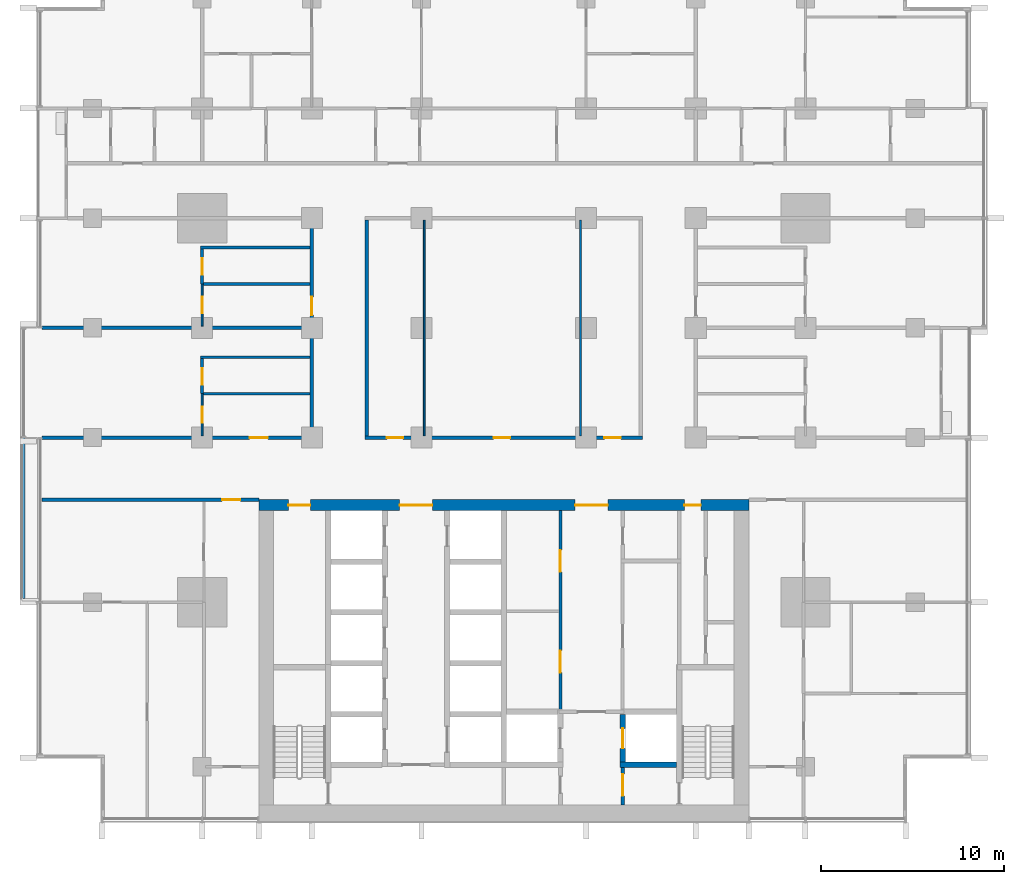
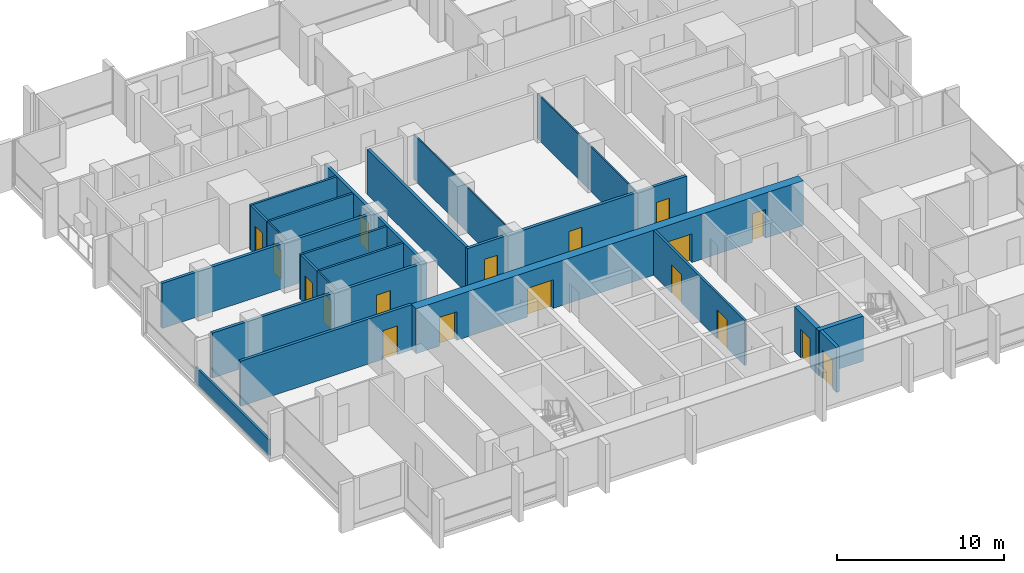
# One storey, part 8 of 17: 22 walls, 18 doors, 18 openings.
"""IFC4 building model written with IfcOpenShell, lengths in metres."""

from ifc_helpers import new_model, si_unit, direction, frame, frame_2d, origin, place, context, subcontext, project, spatial, rectangle, extrude, material, layer, layer_set, type_object, element, fill, save


model = new_model("IFC4")

# Units and contexts
model_context = context("Model", 3, precision=1e-05, world=origin(), true_north=direction((0.0, 1.0)))
body_context = subcontext(model_context, "Body", "Model", "MODEL_VIEW")
ifc_project = project(units=[si_unit("LENGTHUNIT", "METRE"), si_unit("AREAUNIT", "SQUARE_METRE"), si_unit("VOLUMEUNIT", "CUBIC_METRE"), si_unit("PLANEANGLEUNIT", "RADIAN"), si_unit("MASSUNIT", "GRAM", prefix="KILO")], contexts=[model_context])

# Site, building, storey
site_placement = place(None, origin())
site = spatial("IfcSite", under=ifc_project, at=site_placement, CompositionType="ELEMENT")
building_placement = place(site_placement, origin())
building = spatial("IfcBuilding", under=site, at=building_placement, Name="Finial Court Residences", CompositionType="ELEMENT")
storey_placement = place(building_placement, frame((0.0, 0.0, 120.699951171875)))
storey = spatial("IfcBuildingStorey", under=building, at=storey_placement, Name="L30", CompositionType="ELEMENT", Elevation=120.699951171875)

# Wall
ifc_material_1 = material(Name="Gypsum board")
ifc_layer_1 = layer(ifc_material_1, 0.02490234375)
ifc_material_2 = material(Name="Acoustic mineral wool in double frame")
ifc_layer_2 = layer(ifc_material_2, 0.14990234375)
ifc_layer_3 = layer(ifc_material_1, 0.02490234375)
ifc_layer_set_1 = layer_set([ifc_layer_1, ifc_layer_2, ifc_layer_3], Name="Acoustic party wall 200, 1 hour")
wall_type_1 = type_object("IfcWallType", Name="Acoustic party wall 200, 1 hour", PredefinedType="PARTITIONING", material=ifc_layer_set_1)
wall_1_placement = place(storey_placement, frame((-25.25, 1.5, 0.0), z_axis=(0.0, 0.0, 1.0), x_axis=(1.0, 0.0, 0.0)))
element("IfcWall", 1, at=wall_1_placement, inside=storey, type_object=wall_type_1, Name="Partition L30-017", PredefinedType="PARTITIONING", context=body_context, shape_type="SweptSolid", body=[
    extrude(rectangle(XDim=14.64990234375, YDim=0.199951171875, at=frame_2d((7.324951171875, 0.0))), origin(), (0.0, 0.0, 1.0), 3.300048828125),
])

# Wall, openings, doors
ifc_material_3 = material(Name="Concrete C70/85", Category="concrete")
ifc_layer_4 = layer(ifc_material_3, 0.60009765625)
ifc_layer_set_2 = layer_set([ifc_layer_4], Name="Core outer wall 600 Concrete C70/85")
wall_type_2 = type_object("IfcWallType", Name="Core outer wall 600 Concrete C70/85", PredefinedType="SHEAR", material=ifc_layer_set_2)
wall_2_placement = place(storey_placement, frame((-13.39990234375, -8.199951171875, 0.0), z_axis=(0.0, 0.0, 1.0), x_axis=(1.0, 0.0, 0.0)))
wall_2 = element("IfcWall", 2, at=wall_2_placement, inside=storey, type_object=wall_type_2, Name="Core outer wall L30-02", PredefinedType="SHEAR", context=body_context, shape_type="SweptSolid", body=[
    extrude(rectangle(XDim=26.7998046875, YDim=0.60009765625, at=frame_2d((13.39990234375, 0.0))), origin(), (0.0, 0.0, 1.0), 3.300048828125),
])
opening_1_placement = place(wall_2_placement, frame((7.699951171875, 0.0, 0.0)))
opening_1 = element("IfcOpeningElement", 3, at=opening_1_placement, cuts=wall_2, Name="Opening L30-C04", PredefinedType="OPENING", context=body_context, shape_type="SweptSolid", body=[
    extrude(rectangle(XDim=1.800048828125, YDim=2.10009765625, at=frame_2d((0.89990234375, 1.050048828125))), frame((0.0, 0.31005859375, 0.0), z_axis=(0.0, -1.0, 0.0), x_axis=(1.0, 0.0, 0.0)), (0.0, 0.0, 1.0), 0.6201171875),
])
opening_2_placement = place(wall_2_placement, frame((17.300048828125, 0.0, 0.0)))
opening_2 = element("IfcOpeningElement", 4, at=opening_2_placement, cuts=wall_2, Name="Opening L30-C05", PredefinedType="OPENING", context=body_context, shape_type="SweptSolid", body=[
    extrude(rectangle(XDim=1.800048828125, YDim=2.10009765625, at=frame_2d((0.89990234375, 1.050048828125))), frame((0.0, 0.31005859375, 0.0), z_axis=(0.0, -1.0, 0.0), x_axis=(1.0, 0.0, 0.0)), (0.0, 0.0, 1.0), 0.6201171875),
])
opening_3_placement = place(wall_2_placement, frame((1.625, 0.0, 0.0)))
opening_3 = element("IfcOpeningElement", 5, at=opening_3_placement, cuts=wall_2, Name="Opening L30-C09", PredefinedType="OPENING", context=body_context, shape_type="SweptSolid", body=[
    extrude(rectangle(XDim=1.199951171875, YDim=2.10009765625, at=frame_2d((0.60009765625, 1.050048828125))), frame((0.0, 0.31005859375, 0.0), z_axis=(0.0, -1.0, 0.0), x_axis=(1.0, 0.0, 0.0)), (0.0, 0.0, 1.0), 0.6201171875),
])
opening_4_placement = place(wall_2_placement, frame((23.27490234375, 0.0, 0.0)))
opening_4 = element("IfcOpeningElement", 6, at=opening_4_placement, cuts=wall_2, Name="Opening L30-C10", PredefinedType="OPENING", context=body_context, shape_type="SweptSolid", body=[
    extrude(rectangle(XDim=0.89990234375, YDim=2.10009765625, at=frame_2d((0.449951171875, 1.050048828125))), frame((0.0, 0.31005859375, 0.0), z_axis=(0.0, -1.0, 0.0), x_axis=(1.0, 0.0, 0.0)), (0.0, 0.0, 1.0), 0.6201171875),
])
ifc_material_4 = material(Name="Steel fire door", Category="steel")
door_type_1 = type_object("IfcDoorType", Name="Lift lobby door 1800 x 2100 EI 60", OperationType="DOUBLE_DOOR_SINGLE_SWING", PredefinedType="DOOR", material=ifc_material_4)
door_1_placement = place(opening_1_placement, origin())
door_1 = element("IfcDoor", 7, at=door_1_placement, inside=storey, type_object=door_type_1, Name="Lift lobby door L30-C04", OperationType="DOUBLE_DOOR_SINGLE_SWING", OverallHeight=2.10009765625, OverallWidth=1.800048828125, PredefinedType="DOOR", context=body_context, shape_type="SweptSolid", body=[
    extrude(rectangle(XDim=1.800048828125, YDim=2.10009765625, at=frame_2d((0.89990234375, 1.050048828125))), frame((0.0, 0.02490234375, 0.0), z_axis=(0.0, -1.0, 0.0), x_axis=(1.0, 0.0, 0.0)), (0.0, 0.0, 1.0), 0.050048828125),
])
fill(opening_1, door_1)
door_2_placement = place(opening_2_placement, origin())
door_2 = element("IfcDoor", 8, at=door_2_placement, inside=storey, type_object=door_type_1, Name="Lift lobby door L30-C05", OperationType="DOUBLE_DOOR_SINGLE_SWING", OverallHeight=2.10009765625, OverallWidth=1.800048828125, PredefinedType="DOOR", context=body_context, shape_type="SweptSolid", body=[
    extrude(rectangle(XDim=1.800048828125, YDim=2.10009765625, at=frame_2d((0.89990234375, 1.050048828125))), frame((0.0, 0.02490234375, 0.0), z_axis=(0.0, -1.0, 0.0), x_axis=(1.0, 0.0, 0.0)), (0.0, 0.0, 1.0), 0.050048828125),
])
fill(opening_2, door_2)
door_type_2 = type_object("IfcDoorType", Name="Riser room door 1200 x 2100 EI 90", OperationType="NOTDEFINED", PredefinedType="DOOR", material=ifc_material_4)
door_3_placement = place(opening_3_placement, origin())
door_3 = element("IfcDoor", 9, at=door_3_placement, inside=storey, type_object=door_type_2, Name="Riser room door L30-C09", OperationType="SINGLE_SWING_LEFT", OverallHeight=2.10009765625, OverallWidth=1.199951171875, PredefinedType="DOOR", context=body_context, shape_type="SweptSolid", body=[
    extrude(rectangle(XDim=1.199951171875, YDim=2.10009765625, at=frame_2d((0.60009765625, 1.050048828125))), frame((0.0, 0.02490234375, 0.0), z_axis=(0.0, -1.0, 0.0), x_axis=(1.0, 0.0, 0.0)), (0.0, 0.0, 1.0), 0.050048828125),
])
fill(opening_3, door_3)
door_type_3 = type_object("IfcDoorType", Name="Riser room door 900 x 2100 EI 90", OperationType="NOTDEFINED", PredefinedType="DOOR", material=ifc_material_4)
door_4_placement = place(opening_4_placement, origin())
door_4 = element("IfcDoor", 10, at=door_4_placement, inside=storey, type_object=door_type_3, Name="Riser room door L30-C10", OperationType="SINGLE_SWING_LEFT", OverallHeight=2.10009765625, OverallWidth=0.89990234375, PredefinedType="DOOR", context=body_context, shape_type="SweptSolid", body=[
    extrude(rectangle(XDim=0.89990234375, YDim=2.10009765625, at=frame_2d((0.449951171875, 1.050048828125))), frame((0.0, 0.02490234375, 0.0), z_axis=(0.0, -1.0, 0.0), x_axis=(1.0, 0.0, 0.0)), (0.0, 0.0, 1.0), 0.050048828125),
])
fill(opening_4, door_4)

ifc_material_5 = material(Name="Fire-rated gypsum board partition")
ifc_layer_5 = layer(ifc_material_5, 0.14990234375)
ifc_layer_set_3 = layer_set([ifc_layer_5], Name="Core room partition 150 EI 60")
wall_type_3 = type_object("IfcWallType", Name="Core room partition 150 EI 60", PredefinedType="PARTITIONING", material=ifc_layer_set_3)
wall_3_placement = place(storey_placement, frame((3.10009765625, -19.39990234375, 0.0), z_axis=(0.0, 0.0, 1.0), x_axis=(0.0, 1.0, 0.0)))
wall_3 = element("IfcWall", 11, at=wall_3_placement, inside=storey, type_object=wall_type_3, Name="Core partition L30-29", PredefinedType="PARTITIONING", context=body_context, shape_type="SweptSolid", body=[
    extrude(rectangle(XDim=10.89990234375, YDim=0.14990234375, at=frame_2d((5.449951171875, 0.0))), origin(), (0.0, 0.0, 1.0), 3.300048828125),
])
opening_5_placement = place(wall_3_placement, frame((2.050048828125, 0.0, 0.0)))
opening_5 = element("IfcOpeningElement", 12, at=opening_5_placement, cuts=wall_3, Name="Opening L30-C12", PredefinedType="OPENING", context=body_context, shape_type="SweptSolid", body=[
    extrude(rectangle(XDim=1.199951171875, YDim=2.10009765625, at=frame_2d((0.60009765625, 1.050048828125))), frame((0.0, 0.0849609375, 0.0), z_axis=(0.0, -1.0, 0.0), x_axis=(1.0, 0.0, 0.0)), (0.0, 0.0, 1.0), 0.169921875),
])
opening_6_placement = place(wall_3_placement, frame((7.550048828125, 0.0, 0.0)))
opening_6 = element("IfcOpeningElement", 13, at=opening_6_placement, cuts=wall_3, Name="Opening L30-C13", PredefinedType="OPENING", context=body_context, shape_type="SweptSolid", body=[
    extrude(rectangle(XDim=1.199951171875, YDim=2.10009765625, at=frame_2d((0.60009765625, 1.050048828125))), frame((0.0, 0.0849609375, 0.0), z_axis=(0.0, -1.0, 0.0), x_axis=(1.0, 0.0, 0.0)), (0.0, 0.0, 1.0), 0.169921875),
])
door_type_4 = type_object("IfcDoorType", Name="Core room door 1200 x 2100 EI 60", OperationType="NOTDEFINED", PredefinedType="DOOR", material=ifc_material_4)
door_5_placement = place(opening_5_placement, origin())
door_5 = element("IfcDoor", 14, at=door_5_placement, inside=storey, type_object=door_type_4, Name="Core room door L30-C12", OperationType="SINGLE_SWING_LEFT", OverallHeight=2.10009765625, OverallWidth=1.199951171875, PredefinedType="DOOR", context=body_context, shape_type="SweptSolid", body=[
    extrude(rectangle(XDim=1.199951171875, YDim=2.10009765625, at=frame_2d((0.60009765625, 1.050048828125))), frame((0.0, 0.02490234375, 0.0), z_axis=(0.0, -1.0, 0.0), x_axis=(1.0, 0.0, 0.0)), (0.0, 0.0, 1.0), 0.050048828125),
])
fill(opening_5, door_5)
door_6_placement = place(opening_6_placement, origin())
door_6 = element("IfcDoor", 15, at=door_6_placement, inside=storey, type_object=door_type_4, Name="Core room door L30-C13", OperationType="SINGLE_SWING_LEFT", OverallHeight=2.10009765625, OverallWidth=1.199951171875, PredefinedType="DOOR", context=body_context, shape_type="SweptSolid", body=[
    extrude(rectangle(XDim=1.199951171875, YDim=2.10009765625, at=frame_2d((0.60009765625, 1.050048828125))), frame((0.0, 0.02490234375, 0.0), z_axis=(0.0, -1.0, 0.0), x_axis=(1.0, 0.0, 0.0)), (0.0, 0.0, 1.0), 0.050048828125),
])
fill(opening_6, door_6)

# Wall, opening, door
ifc_layer_6 = layer(ifc_material_1, 0.02490234375)
ifc_layer_7 = layer(ifc_material_2, 0.14990234375)
ifc_layer_8 = layer(ifc_material_1, 0.02490234375)
ifc_layer_set_4 = layer_set([ifc_layer_6, ifc_layer_7, ifc_layer_8], Name="Corridor wall 200, 1 hour")
wall_type_4 = type_object("IfcWallType", Name="Corridor wall 200, 1 hour", PredefinedType="PARTITIONING", material=ifc_layer_set_4)
wall_4_placement = place(storey_placement, frame((-25.25, -7.89990234375, 0.0), z_axis=(0.0, 0.0, 1.0), x_axis=(1.0, 0.0, 0.0)))
wall_4 = element("IfcWall", 16, at=wall_4_placement, inside=storey, type_object=wall_type_4, Name="Partition L30-008", PredefinedType="PARTITIONING", context=body_context, shape_type="SweptSolid", body=[
    extrude(rectangle(XDim=11.85009765625, YDim=0.199951171875, at=frame_2d((5.925048828125, 0.0))), origin(), (0.0, 0.0, 1.0), 3.300048828125),
])
opening_7_placement = place(wall_4_placement, frame((9.85009765625, 0.0, 0.0)))
opening_7 = element("IfcOpeningElement", 17, at=opening_7_placement, cuts=wall_4, Name="Opening L30-D005", PredefinedType="OPENING", context=body_context, shape_type="SweptSolid", body=[
    extrude(rectangle(XDim=1.0, YDim=2.10009765625, at=frame_2d((0.5, 1.050048828125))), frame((0.0, 0.10986328125, 0.0), z_axis=(0.0, -1.0, 0.0), x_axis=(1.0, 0.0, 0.0)), (0.0, 0.0, 1.0), 0.219970703125),
])
ifc_material_6 = material(Name="Timber door leaf in hollow metal frame", Category="wood")
door_type_5 = type_object("IfcDoorType", Name="Fire door set 1000 x 2100, 30 minutes", OperationType="SINGLE_SWING_LEFT", PredefinedType="DOOR", material=ifc_material_6)
door_7_placement = place(opening_7_placement, origin())
door_7 = element("IfcDoor", 18, at=door_7_placement, inside=storey, type_object=door_type_5, Name="Door L30-D005", OperationType="SINGLE_SWING_RIGHT", OverallHeight=2.10009765625, OverallWidth=1.0, PredefinedType="DOOR", context=body_context, shape_type="SweptSolid", body=[
    extrude(rectangle(XDim=1.0, YDim=2.10009765625, at=frame_2d((0.5, 1.050048828125))), frame((0.0, 0.02490234375, 0.0), z_axis=(0.0, -1.0, 0.0), x_axis=(1.0, 0.0, 0.0)), (0.0, 0.0, 1.0), 0.050048828125),
])
fill(opening_7, door_7)

wall_5_placement = place(storey_placement, frame((-25.25, -4.5, 0.0), z_axis=(0.0, 0.0, 1.0), x_axis=(1.0, 0.0, 0.0)))
wall_5 = element("IfcWall", 19, at=wall_5_placement, inside=storey, type_object=wall_type_4, Name="Partition L30-010", PredefinedType="PARTITIONING", context=body_context, shape_type="SweptSolid", body=[
    extrude(rectangle(XDim=14.85009765625, YDim=0.199951171875, at=frame_2d((7.425048828125, 0.0))), origin(), (0.0, 0.0, 1.0), 3.300048828125),
])
opening_8_placement = place(wall_5_placement, frame((11.35009765625, 0.0, 0.0)))
opening_8 = element("IfcOpeningElement", 20, at=opening_8_placement, cuts=wall_5, Name="Opening L30-D007", PredefinedType="OPENING", context=body_context, shape_type="SweptSolid", body=[
    extrude(rectangle(XDim=1.0, YDim=2.10009765625, at=frame_2d((0.5, 1.050048828125))), frame((0.0, 0.10986328125, 0.0), z_axis=(0.0, -1.0, 0.0), x_axis=(1.0, 0.0, 0.0)), (0.0, 0.0, 1.0), 0.219970703125),
])
door_8_placement = place(opening_8_placement, origin())
door_8 = element("IfcDoor", 21, at=door_8_placement, inside=storey, type_object=door_type_5, Name="Door L30-D007", OperationType="SINGLE_SWING_LEFT", OverallHeight=2.10009765625, OverallWidth=1.0, PredefinedType="DOOR", context=body_context, shape_type="SweptSolid", body=[
    extrude(rectangle(XDim=1.0, YDim=2.10009765625, at=frame_2d((0.5, 1.050048828125))), frame((0.0, 0.02490234375, 0.0), z_axis=(0.0, -1.0, 0.0), x_axis=(1.0, 0.0, 0.0)), (0.0, 0.0, 1.0), 0.050048828125),
])
fill(opening_8, door_8)

# Wall, openings, doors
wall_6_placement = place(storey_placement, frame((-7.60009765625, -4.5, 0.0), z_axis=(0.0, 0.0, 1.0), x_axis=(1.0, 0.0, 0.0)))
wall_6 = element("IfcWall", 22, at=wall_6_placement, inside=storey, type_object=wall_type_4, Name="Partition L30-011", PredefinedType="PARTITIONING", context=body_context, shape_type="SweptSolid", body=[
    extrude(rectangle(XDim=15.2001953125, YDim=0.199951171875, at=frame_2d((7.60009765625, 0.0))), origin(), (0.0, 0.0, 1.0), 3.300048828125),
])
opening_9_placement = place(wall_6_placement, frame((1.199951171875, 0.0, 0.0)))
opening_9 = element("IfcOpeningElement", 23, at=opening_9_placement, cuts=wall_6, Name="Opening L30-D008", PredefinedType="OPENING", context=body_context, shape_type="SweptSolid", body=[
    extrude(rectangle(XDim=0.89990234375, YDim=2.10009765625, at=frame_2d((0.449951171875, 1.050048828125))), frame((0.0, 0.10986328125, 0.0), z_axis=(0.0, -1.0, 0.0), x_axis=(1.0, 0.0, 0.0)), (0.0, 0.0, 1.0), 0.219970703125),
])
opening_10_placement = place(wall_6_placement, frame((7.050048828125, 0.0, 0.0)))
opening_10 = element("IfcOpeningElement", 24, at=opening_10_placement, cuts=wall_6, Name="Opening L30-D009", PredefinedType="OPENING", context=body_context, shape_type="SweptSolid", body=[
    extrude(rectangle(XDim=0.89990234375, YDim=2.10009765625, at=frame_2d((0.449951171875, 1.050048828125))), frame((0.0, 0.10986328125, 0.0), z_axis=(0.0, -1.0, 0.0), x_axis=(1.0, 0.0, 0.0)), (0.0, 0.0, 1.0), 0.219970703125),
])
opening_11_placement = place(wall_6_placement, frame((13.10009765625, 0.0, 0.0)))
opening_11 = element("IfcOpeningElement", 25, at=opening_11_placement, cuts=wall_6, Name="Opening L30-D010", PredefinedType="OPENING", context=body_context, shape_type="SweptSolid", body=[
    extrude(rectangle(XDim=0.89990234375, YDim=2.10009765625, at=frame_2d((0.449951171875, 1.050048828125))), frame((0.0, 0.10986328125, 0.0), z_axis=(0.0, -1.0, 0.0), x_axis=(1.0, 0.0, 0.0)), (0.0, 0.0, 1.0), 0.219970703125),
])
door_type_6 = type_object("IfcDoorType", Name="Fire door set 900 x 2100, 30 minutes", OperationType="SINGLE_SWING_LEFT", PredefinedType="DOOR", material=ifc_material_6)
door_9_placement = place(opening_9_placement, origin())
door_9 = element("IfcDoor", 26, at=door_9_placement, inside=storey, type_object=door_type_6, Name="Door L30-D008", OperationType="SINGLE_SWING_RIGHT", OverallHeight=2.10009765625, OverallWidth=0.89990234375, PredefinedType="DOOR", context=body_context, shape_type="SweptSolid", body=[
    extrude(rectangle(XDim=0.89990234375, YDim=2.10009765625, at=frame_2d((0.449951171875, 1.050048828125))), frame((0.0, 0.02490234375, 0.0), z_axis=(0.0, -1.0, 0.0), x_axis=(1.0, 0.0, 0.0)), (0.0, 0.0, 1.0), 0.050048828125),
])
fill(opening_9, door_9)
door_10_placement = place(opening_10_placement, origin())
door_10 = element("IfcDoor", 27, at=door_10_placement, inside=storey, type_object=door_type_6, Name="Door L30-D009", OperationType="SINGLE_SWING_RIGHT", OverallHeight=2.10009765625, OverallWidth=0.89990234375, PredefinedType="DOOR", context=body_context, shape_type="SweptSolid", body=[
    extrude(rectangle(XDim=0.89990234375, YDim=2.10009765625, at=frame_2d((0.449951171875, 1.050048828125))), frame((0.0, 0.02490234375, 0.0), z_axis=(0.0, -1.0, 0.0), x_axis=(1.0, 0.0, 0.0)), (0.0, 0.0, 1.0), 0.050048828125),
])
fill(opening_10, door_10)
door_11_placement = place(opening_11_placement, origin())
door_11 = element("IfcDoor", 28, at=door_11_placement, inside=storey, type_object=door_type_6, Name="Door L30-D010", OperationType="SINGLE_SWING_LEFT", OverallHeight=2.10009765625, OverallWidth=0.89990234375, PredefinedType="DOOR", context=body_context, shape_type="SweptSolid", body=[
    extrude(rectangle(XDim=0.89990234375, YDim=2.10009765625, at=frame_2d((0.449951171875, 1.050048828125))), frame((0.0, 0.02490234375, 0.0), z_axis=(0.0, -1.0, 0.0), x_axis=(1.0, 0.0, 0.0)), (0.0, 0.0, 1.0), 0.050048828125),
])
fill(opening_11, door_11)

# Wall, opening, door
wall_7_placement = place(storey_placement, frame((-10.5, -4.39990234375, 0.0), z_axis=(0.0, 0.0, 1.0), x_axis=(0.0, 1.0, 0.0)))
wall_7 = element("IfcWall", 29, at=wall_7_placement, inside=storey, type_object=wall_type_4, Name="Partition L30-056", PredefinedType="PARTITIONING", context=body_context, shape_type="SweptSolid", body=[
    extrude(rectangle(XDim=11.7998046875, YDim=0.199951171875, at=frame_2d((5.89990234375, 0.0))), origin(), (0.0, 0.0, 1.0), 3.300048828125),
])
opening_12_placement = place(wall_7_placement, frame((6.60009765625, 0.0, 0.0)))
opening_12 = element("IfcOpeningElement", 30, at=opening_12_placement, cuts=wall_7, Name="Opening L30-D031", PredefinedType="OPENING", context=body_context, shape_type="SweptSolid", body=[
    extrude(rectangle(XDim=1.0, YDim=2.10009765625, at=frame_2d((0.5, 1.050048828125))), frame((0.0, 0.10986328125, 0.0), z_axis=(0.0, -1.0, 0.0), x_axis=(1.0, 0.0, 0.0)), (0.0, 0.0, 1.0), 0.219970703125),
])
door_12_placement = place(opening_12_placement, origin())
door_12 = element("IfcDoor", 31, at=door_12_placement, inside=storey, type_object=door_type_5, Name="Door L30-D031", OperationType="SINGLE_SWING_LEFT", OverallHeight=2.10009765625, OverallWidth=1.0, PredefinedType="DOOR", context=body_context, shape_type="SweptSolid", body=[
    extrude(rectangle(XDim=1.0, YDim=2.10009765625, at=frame_2d((0.5, 1.050048828125))), frame((0.0, 0.02490234375, 0.0), z_axis=(0.0, -1.0, 0.0), x_axis=(1.0, 0.0, 0.0)), (0.0, 0.0, 1.0), 0.050048828125),
])
fill(opening_12, door_12)

# Wall
wall_8_placement = place(storey_placement, frame((-7.5, -4.39990234375, 0.0), z_axis=(0.0, 0.0, 1.0), x_axis=(0.0, 1.0, 0.0)))
element("IfcWall", 32, at=wall_8_placement, inside=storey, type_object=wall_type_4, Name="Partition L30-058", PredefinedType="PARTITIONING", context=body_context, shape_type="SweptSolid", body=[
    extrude(rectangle(XDim=11.7998046875, YDim=0.199951171875, at=frame_2d((5.89990234375, 0.0))), origin(), (0.0, 0.0, 1.0), 3.300048828125),
])

# Wall, opening, door
ifc_layer_9 = layer(ifc_material_5, 0.199951171875)
ifc_layer_set_5 = layer_set([ifc_layer_9], Name="Firefighting lobby wall 200 EI 120")
wall_type_5 = type_object("IfcWallType", Name="Firefighting lobby wall 200 EI 120", PredefinedType="PARTITIONING", material=ifc_layer_set_5)
wall_9_placement = place(storey_placement, frame((6.5, -22.550048828125, 0.0), z_axis=(0.0, 0.0, 1.0), x_axis=(0.0, -1.0, 0.0)))
wall_9 = element("IfcWall", 33, at=wall_9_placement, inside=storey, type_object=wall_type_5, Name="Core partition L30-30", PredefinedType="PARTITIONING", context=body_context, shape_type="SweptSolid", body=[
    extrude(rectangle(XDim=2.050048828125, YDim=0.199951171875, at=frame_2d((1.02490234375, 0.0))), origin(), (0.0, 0.0, 1.0), 3.300048828125),
])
opening_13_placement = place(wall_9_placement, frame((0.35009765625, 0.0, 0.0)))
opening_13 = element("IfcOpeningElement", 34, at=opening_13_placement, cuts=wall_9, Name="Opening L30-C01", PredefinedType="OPENING", context=body_context, shape_type="SweptSolid", body=[
    extrude(rectangle(XDim=1.199951171875, YDim=2.10009765625, at=frame_2d((0.60009765625, 1.050048828125))), frame((0.0, 0.10986328125, 0.0), z_axis=(0.0, -1.0, 0.0), x_axis=(1.0, 0.0, 0.0)), (0.0, 0.0, 1.0), 0.219970703125),
])
door_type_7 = type_object("IfcDoorType", Name="Firefighting lobby door 1200 x 2100 EI 90", OperationType="NOTDEFINED", PredefinedType="DOOR", material=ifc_material_4)
door_13_placement = place(opening_13_placement, origin())
door_13 = element("IfcDoor", 35, at=door_13_placement, inside=storey, type_object=door_type_7, Name="Firefighting lobby door L30-C01", OperationType="SINGLE_SWING_RIGHT", OverallHeight=2.10009765625, OverallWidth=1.199951171875, PredefinedType="DOOR", context=body_context, shape_type="SweptSolid", body=[
    extrude(rectangle(XDim=1.199951171875, YDim=2.10009765625, at=frame_2d((0.60009765625, 1.050048828125))), frame((0.0, 0.02490234375, 0.0), z_axis=(0.0, -1.0, 0.0), x_axis=(1.0, 0.0, 0.0)), (0.0, 0.0, 1.0), 0.050048828125),
])
fill(opening_13, door_13)

ifc_layer_10 = layer(ifc_material_1, 0.012451171875)
ifc_material_7 = material(Name="Mineral wool in light-gauge frame")
ifc_layer_11 = layer(ifc_material_7, 0.074951171875)
ifc_layer_12 = layer(ifc_material_1, 0.012451171875)
ifc_layer_set_6 = layer_set([ifc_layer_10, ifc_layer_11, ifc_layer_12], Name="Gypsum board partition 100")
wall_type_6 = type_object("IfcWallType", Name="Gypsum board partition 100", PredefinedType="PARTITIONING", material=ifc_layer_set_6)
wall_10_placement = place(storey_placement, frame((-16.5, -4.39990234375, 0.0), z_axis=(0.0, 0.0, 1.0), x_axis=(0.0, 1.0, 0.0)))
wall_10 = element("IfcWall", 36, at=wall_10_placement, inside=storey, type_object=wall_type_6, Name="Partition L30-046", PredefinedType="PARTITIONING", context=body_context, shape_type="SweptSolid", body=[
    extrude(rectangle(XDim=2.2998046875, YDim=0.10009765625, at=frame_2d((1.14990234375, 0.0))), origin(), (0.0, 0.0, 1.0), 3.300048828125),
])
opening_14_placement = place(wall_10_placement, frame((0.699951171875, 0.0, 0.0)))
opening_14 = element("IfcOpeningElement", 37, at=opening_14_placement, cuts=wall_10, Name="Opening L30-D025", PredefinedType="OPENING", context=body_context, shape_type="SweptSolid", body=[
    extrude(rectangle(XDim=0.89990234375, YDim=2.10009765625, at=frame_2d((0.449951171875, 1.050048828125))), frame((0.0, 0.06005859375, 0.0), z_axis=(0.0, -1.0, 0.0), x_axis=(1.0, 0.0, 0.0)), (0.0, 0.0, 1.0), 0.1201171875),
])
ifc_material_8 = material(Name="Timber door leaf in timber frame", Category="wood")
door_type_8 = type_object("IfcDoorType", Name="Door set 900 x 2100", OperationType="SINGLE_SWING_LEFT", PredefinedType="DOOR", material=ifc_material_8)
door_14_placement = place(opening_14_placement, origin())
door_14 = element("IfcDoor", 38, at=door_14_placement, inside=storey, type_object=door_type_8, Name="Door L30-D025", OperationType="SINGLE_SWING_RIGHT", OverallHeight=2.10009765625, OverallWidth=0.89990234375, PredefinedType="DOOR", context=body_context, shape_type="SweptSolid", body=[
    extrude(rectangle(XDim=0.89990234375, YDim=2.10009765625, at=frame_2d((0.449951171875, 1.050048828125))), frame((0.0, 0.02490234375, 0.0), z_axis=(0.0, -1.0, 0.0), x_axis=(1.0, 0.0, 0.0)), (0.0, 0.0, 1.0), 0.050048828125),
])
fill(opening_14, door_14)

wall_11_placement = place(storey_placement, frame((-16.5, 1.60009765625, 0.0), z_axis=(0.0, 0.0, 1.0), x_axis=(0.0, 1.0, 0.0)))
wall_11 = element("IfcWall", 39, at=wall_11_placement, inside=storey, type_object=wall_type_6, Name="Partition L30-047", PredefinedType="PARTITIONING", context=body_context, shape_type="SweptSolid", body=[
    extrude(rectangle(XDim=2.2998046875, YDim=0.10009765625, at=frame_2d((1.14990234375, 0.0))), origin(), (0.0, 0.0, 1.0), 3.300048828125),
])
opening_15_placement = place(wall_11_placement, frame((0.699951171875, 0.0, 0.0)))
opening_15 = element("IfcOpeningElement", 40, at=opening_15_placement, cuts=wall_11, Name="Opening L30-D026", PredefinedType="OPENING", context=body_context, shape_type="SweptSolid", body=[
    extrude(rectangle(XDim=0.89990234375, YDim=2.10009765625, at=frame_2d((0.449951171875, 1.050048828125))), frame((0.0, 0.06005859375, 0.0), z_axis=(0.0, -1.0, 0.0), x_axis=(1.0, 0.0, 0.0)), (0.0, 0.0, 1.0), 0.1201171875),
])
door_15_placement = place(opening_15_placement, origin())
door_15 = element("IfcDoor", 41, at=door_15_placement, inside=storey, type_object=door_type_8, Name="Door L30-D026", OperationType="SINGLE_SWING_LEFT", OverallHeight=2.10009765625, OverallWidth=0.89990234375, PredefinedType="DOOR", context=body_context, shape_type="SweptSolid", body=[
    extrude(rectangle(XDim=0.89990234375, YDim=2.10009765625, at=frame_2d((0.449951171875, 1.050048828125))), frame((0.0, 0.02490234375, 0.0), z_axis=(0.0, -1.0, 0.0), x_axis=(1.0, 0.0, 0.0)), (0.0, 0.0, 1.0), 0.050048828125),
])
fill(opening_15, door_15)

# Walls
for number, where, z_axis, x_axis, name in (
    (42, (-4.35009765625, -4.39990234375, 0.0), (0.0, 0.0, 1.0), (0.0, 1.0, 0.0), "Partition L30-062"),
    (43, (4.199951171875, -4.39990234375, 0.0), (0.0, 0.0, 1.0), (0.0, 1.0, 0.0), "Partition L30-064"),
):
    element("IfcWall", number, at=place(storey_placement, frame(where, z_axis=z_axis, x_axis=x_axis)), inside=storey, type_object=wall_type_6, Name=name, PredefinedType="PARTITIONING", context=body_context, shape_type="SweptSolid", body=[
        extrude(rectangle(XDim=11.7998046875, YDim=0.10009765625, at=frame_2d((5.89990234375, 0.0))), origin(), (0.0, 0.0, 1.0), 3.300048828125),
    ])
ifc_material_9 = material(Name="Moisture-resistant gypsum board")
ifc_layer_13 = layer(ifc_material_9, 0.012451171875)
ifc_layer_14 = layer(ifc_material_7, 0.125)
ifc_layer_15 = layer(ifc_material_9, 0.012451171875)
ifc_layer_set_7 = layer_set([ifc_layer_13, ifc_layer_14, ifc_layer_15], Name="Gypsum board wet-area partition 150")
wall_type_7 = type_object("IfcWallType", Name="Gypsum board wet-area partition 150", PredefinedType="PARTITIONING", material=ifc_layer_set_7)
wall_12_placement = place(storey_placement, frame((-16.425048828125, -2.10009765625, 0.0), z_axis=(0.0, 0.0, 1.0), x_axis=(1.0, 0.0, 0.0)))
element("IfcWall", 44, at=wall_12_placement, inside=storey, type_object=wall_type_7, Name="Partition L30-013", PredefinedType="PARTITIONING", context=body_context, shape_type="SweptSolid", body=[
    extrude(rectangle(XDim=5.824951171875, YDim=0.14990234375, at=frame_2d((2.91259765625, 0.0))), origin(), (0.0, 0.0, 1.0), 3.300048828125),
])
wall_13_placement = place(storey_placement, frame((-16.574951171875, -0.10009765625, 0.0), z_axis=(0.0, 0.0, 1.0), x_axis=(1.0, 0.0, 0.0)))
element("IfcWall", 45, at=wall_13_placement, inside=storey, type_object=wall_type_7, Name="Partition L30-015", PredefinedType="PARTITIONING", context=body_context, shape_type="SweptSolid", body=[
    extrude(rectangle(XDim=5.974853515625, YDim=0.14990234375, at=frame_2d((2.9873046875, 0.0))), origin(), (0.0, 0.0, 1.0), 3.300048828125),
])
wall_14_placement = place(storey_placement, frame((-16.425048828125, 3.89990234375, 0.0), z_axis=(0.0, 0.0, 1.0), x_axis=(1.0, 0.0, 0.0)))
element("IfcWall", 46, at=wall_14_placement, inside=storey, type_object=wall_type_7, Name="Partition L30-019", PredefinedType="PARTITIONING", context=body_context, shape_type="SweptSolid", body=[
    extrude(rectangle(XDim=5.824951171875, YDim=0.14990234375, at=frame_2d((2.91259765625, 0.0))), origin(), (0.0, 0.0, 1.0), 3.300048828125),
])
wall_15_placement = place(storey_placement, frame((-16.574951171875, 5.89990234375, 0.0), z_axis=(0.0, 0.0, 1.0), x_axis=(1.0, 0.0, 0.0)))
element("IfcWall", 47, at=wall_15_placement, inside=storey, type_object=wall_type_7, Name="Partition L30-021", PredefinedType="PARTITIONING", context=body_context, shape_type="SweptSolid", body=[
    extrude(rectangle(XDim=5.974853515625, YDim=0.14990234375, at=frame_2d((2.9873046875, 0.0))), origin(), (0.0, 0.0, 1.0), 3.300048828125),
])

# Wall, opening, door
wall_16_placement = place(storey_placement, frame((-16.5, -2.10009765625, 0.0), z_axis=(0.0, 0.0, 1.0), x_axis=(0.0, 1.0, 0.0)))
wall_16 = element("IfcWall", 48, at=wall_16_placement, inside=storey, type_object=wall_type_7, Name="Partition L30-050", PredefinedType="PARTITIONING", context=body_context, shape_type="SweptSolid", body=[
    extrude(rectangle(XDim=1.925048828125, YDim=0.14990234375, at=frame_2d((0.96240234375, 0.0))), origin(), (0.0, 0.0, 1.0), 3.300048828125),
])
opening_16_placement = place(wall_16_placement, frame((0.5, 0.0, 0.0)))
opening_16 = element("IfcOpeningElement", 49, at=opening_16_placement, cuts=wall_16, Name="Opening L30-D027", PredefinedType="OPENING", context=body_context, shape_type="SweptSolid", body=[
    extrude(rectangle(XDim=0.89990234375, YDim=2.10009765625, at=frame_2d((0.449951171875, 1.050048828125))), frame((0.0, 0.0849609375, 0.0), z_axis=(0.0, -1.0, 0.0), x_axis=(1.0, 0.0, 0.0)), (0.0, 0.0, 1.0), 0.169921875),
])
door_16_placement = place(opening_16_placement, origin())
door_16 = element("IfcDoor", 50, at=door_16_placement, inside=storey, type_object=door_type_8, Name="Door L30-D027", OperationType="SINGLE_SWING_RIGHT", OverallHeight=2.10009765625, OverallWidth=0.89990234375, PredefinedType="DOOR", context=body_context, shape_type="SweptSolid", body=[
    extrude(rectangle(XDim=0.89990234375, YDim=2.10009765625, at=frame_2d((0.449951171875, 1.050048828125))), frame((0.0, 0.02490234375, 0.0), z_axis=(0.0, -1.0, 0.0), x_axis=(1.0, 0.0, 0.0)), (0.0, 0.0, 1.0), 0.050048828125),
])
fill(opening_16, door_16)

wall_17_placement = place(storey_placement, frame((-16.5, 3.89990234375, 0.0), z_axis=(0.0, 0.0, 1.0), x_axis=(0.0, 1.0, 0.0)))
wall_17 = element("IfcWall", 51, at=wall_17_placement, inside=storey, type_object=wall_type_7, Name="Partition L30-051", PredefinedType="PARTITIONING", context=body_context, shape_type="SweptSolid", body=[
    extrude(rectangle(XDim=1.925048828125, YDim=0.14990234375, at=frame_2d((0.96240234375, 0.0))), origin(), (0.0, 0.0, 1.0), 3.300048828125),
])
opening_17_placement = place(wall_17_placement, frame((0.5, 0.0, 0.0)))
opening_17 = element("IfcOpeningElement", 52, at=opening_17_placement, cuts=wall_17, Name="Opening L30-D028", PredefinedType="OPENING", context=body_context, shape_type="SweptSolid", body=[
    extrude(rectangle(XDim=0.89990234375, YDim=2.10009765625, at=frame_2d((0.449951171875, 1.050048828125))), frame((0.0, 0.0849609375, 0.0), z_axis=(0.0, -1.0, 0.0), x_axis=(1.0, 0.0, 0.0)), (0.0, 0.0, 1.0), 0.169921875),
])
door_17_placement = place(opening_17_placement, origin())
door_17 = element("IfcDoor", 53, at=door_17_placement, inside=storey, type_object=door_type_8, Name="Door L30-D028", OperationType="SINGLE_SWING_RIGHT", OverallHeight=2.10009765625, OverallWidth=0.89990234375, PredefinedType="DOOR", context=body_context, shape_type="SweptSolid", body=[
    extrude(rectangle(XDim=0.89990234375, YDim=2.10009765625, at=frame_2d((0.449951171875, 1.050048828125))), frame((0.0, 0.02490234375, 0.0), z_axis=(0.0, -1.0, 0.0), x_axis=(1.0, 0.0, 0.0)), (0.0, 0.0, 1.0), 0.050048828125),
])
fill(opening_17, door_17)

# Walls
ifc_material_10 = material(Name="Concrete C35/45", Category="concrete")
ifc_layer_16 = layer(ifc_material_10, 0.14990234375)
ifc_layer_set_8 = layer_set([ifc_layer_16], Name="Ledge parapet, Concrete C35/45 150")
wall_type_8 = type_object("IfcWallType", Name="Ledge parapet, Concrete C35/45 150", PredefinedType="PARAPET", material=ifc_layer_set_8)
wall_18_placement = place(storey_placement, frame((-26.27490234375, -13.300048828125, 0.0), z_axis=(0.0, 0.0, 1.0), x_axis=(0.0, 1.0, 0.0)))
element("IfcWall", 54, at=wall_18_placement, inside=storey, type_object=wall_type_8, Name="E-L30-LED1-P2", PredefinedType="PARAPET", context=body_context, shape_type="SweptSolid", body=[
    extrude(rectangle(XDim=8.840087890625, YDim=0.14990234375, at=frame_2d((4.419921875, 0.0))), origin(), (0.0, 0.0, 1.0), 1.150146484375),
])
ifc_layer_17 = layer(ifc_material_3, 0.300048828125)
ifc_layer_set_9 = layer_set([ifc_layer_17], Name="Lift shaft and stair wall 300 Concrete C70/85")
wall_type_9 = type_object("IfcWallType", Name="Lift shaft and stair wall 300 Concrete C70/85", PredefinedType="SHEAR", material=ifc_layer_set_9)
wall_19_placement = place(storey_placement, frame((6.35009765625, -22.39990234375, 0.0), z_axis=(0.0, 0.0, 1.0), x_axis=(1.0, 0.0, 0.0)))
element("IfcWall", 55, at=wall_19_placement, inside=storey, type_object=wall_type_9, Name="Core wall L30-04", PredefinedType="SHEAR", context=body_context, shape_type="SweptSolid", body=[
    extrude(rectangle(XDim=3.099853515625, YDim=0.300048828125, at=frame_2d((1.5498046875, 0.0))), origin(), (0.0, 0.0, 1.0), 3.300048828125),
])

# Wall, opening, door
wall_20_placement = place(storey_placement, frame((6.5, -22.25, 0.0), z_axis=(0.0, 0.0, 1.0), x_axis=(0.0, 1.0, 0.0)))
wall_20 = element("IfcWall", 56, at=wall_20_placement, inside=storey, type_object=wall_type_9, Name="Core wall L30-31", PredefinedType="SHEAR", context=body_context, shape_type="SweptSolid", body=[
    extrude(rectangle(XDim=2.60009765625, YDim=0.300048828125, at=frame_2d((1.300048828125, 0.0))), origin(), (0.0, 0.0, 1.0), 3.300048828125),
])
opening_18_placement = place(wall_20_placement, frame((0.75, 0.0, 0.0)))
opening_18 = element("IfcOpeningElement", 57, at=opening_18_placement, cuts=wall_20, Name="Opening L30-LD02", PredefinedType="OPENING", context=body_context, shape_type="SweptSolid", body=[
    extrude(rectangle(XDim=1.10009765625, YDim=2.10009765625, at=frame_2d((0.550048828125, 1.050048828125))), frame((0.0, 0.159912109375, 0.0), z_axis=(0.0, -1.0, 0.0), x_axis=(1.0, 0.0, 0.0)), (0.0, 0.0, 1.0), 0.320068359375),
])
ifc_material_11 = material(Name="Stainless steel lift door", Category="steel")
door_type_9 = type_object("IfcDoorType", Name="Lift landing door 1100 x 2100 EI 90", OperationType="DOUBLE_DOOR_SLIDING", PredefinedType="DOOR", material=ifc_material_11)
door_18_placement = place(opening_18_placement, origin())
door_18 = element("IfcDoor", 58, at=door_18_placement, inside=storey, type_object=door_type_9, Name="Lift landing door FF2 L30", OperationType="DOUBLE_DOOR_SLIDING", OverallHeight=2.10009765625, OverallWidth=1.10009765625, PredefinedType="DOOR", context=body_context, shape_type="SweptSolid", body=[
    extrude(rectangle(XDim=1.10009765625, YDim=2.10009765625, at=frame_2d((0.550048828125, 1.050048828125))), frame((0.0, 0.02490234375, 0.0), z_axis=(0.0, -1.0, 0.0), x_axis=(1.0, 0.0, 0.0)), (0.0, 0.0, 1.0), 0.050048828125),
])
fill(opening_18, door_18)

save(model, "model.ifc")
